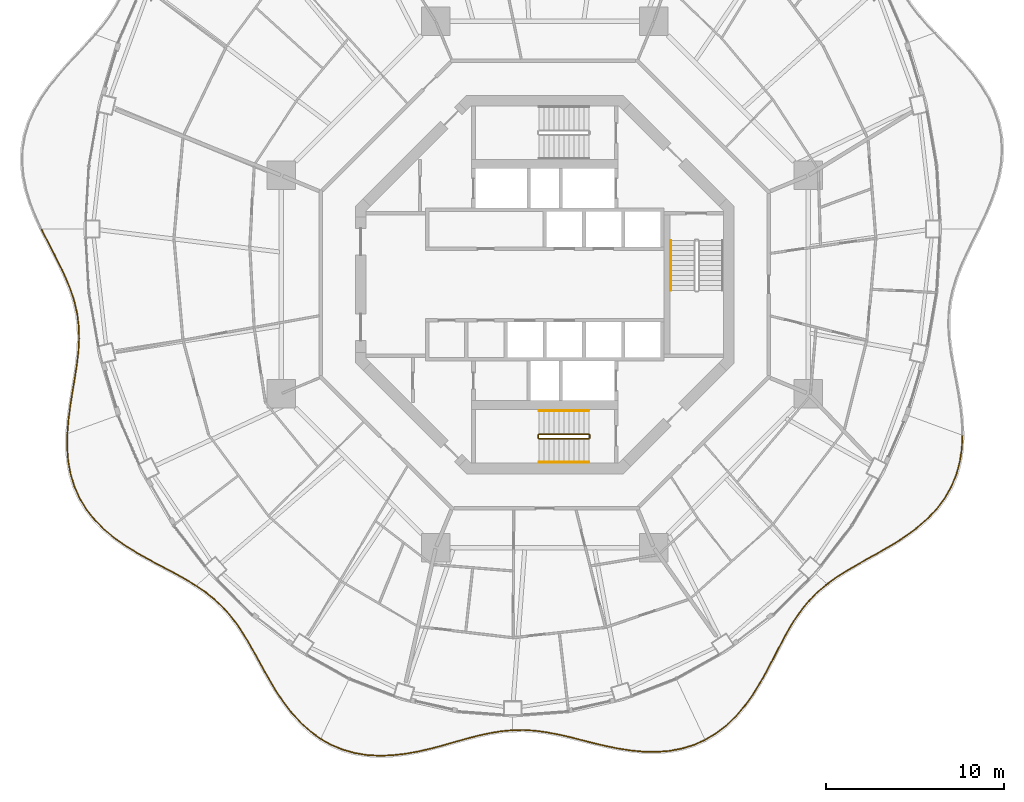
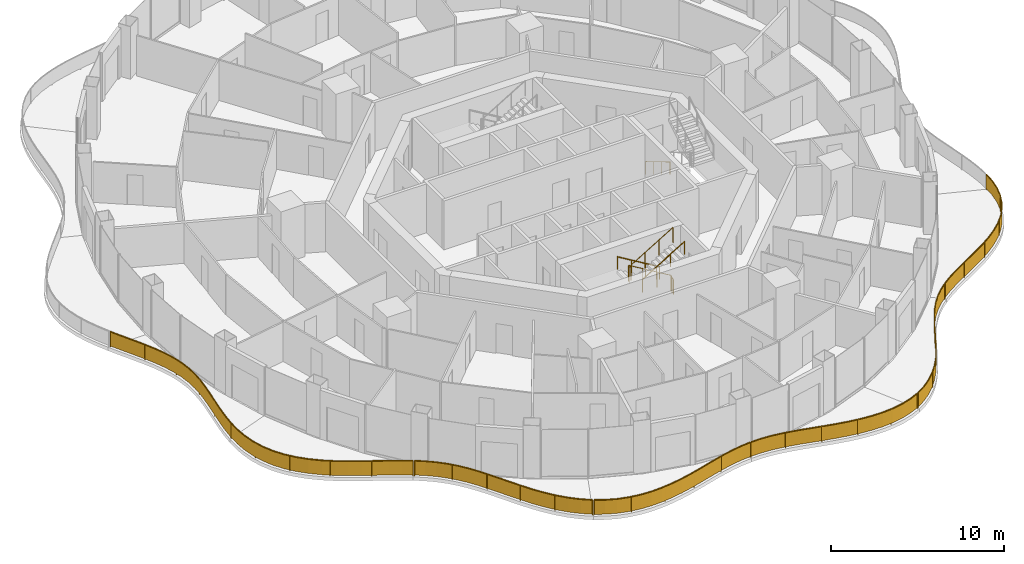
# One storey, part 16 of 18: 11 railings.
"""IFC4 building model written with IfcOpenShell, lengths in metres."""

from ifc_helpers import new_model, si_unit, direction, frame, origin, origin_2d, place, context, subcontext, project, spatial, polyline, rectangle, circle, outline, extrude, material, type_object, element, save


model = new_model("IFC4")

# Units and contexts
model_context = context("Model", 3, precision=1e-05, world=origin(), true_north=direction((0.0, 1.0)))
body_context = subcontext(model_context, "Body", "Model", "MODEL_VIEW")
ifc_project = project(units=[si_unit("LENGTHUNIT", "METRE"), si_unit("AREAUNIT", "SQUARE_METRE"), si_unit("VOLUMEUNIT", "CUBIC_METRE"), si_unit("PLANEANGLEUNIT", "RADIAN"), si_unit("MASSUNIT", "GRAM", prefix="KILO")], contexts=[model_context])

# Site, building, storey
site_placement = place(None, origin())
site = spatial("IfcSite", under=ifc_project, at=site_placement, CompositionType="ELEMENT")
building_placement = place(site_placement, origin())
building = spatial("IfcBuilding", under=site, at=building_placement, Name="Nagisa Residences", CompositionType="ELEMENT")
storey_placement = place(building_placement, frame((0.0, 0.0, 234.39990234375)))
storey = spatial("IfcBuildingStorey", under=building, at=storey_placement, Name="L59", CompositionType="ELEMENT", Elevation=234.39990234375)

# Railings
ifc_material_1 = material(Name="Stainless steel 316", Category="steel")
railing_type_1 = type_object("IfcRailingType", Name="BALCONY GUARD 1100", PredefinedType="BALUSTRADE", material=ifc_material_1)
railing_1_placement = place(storey_placement, frame((-28.239013671875, 3.083740234375, 0.0)))
element("IfcRailing", 1, at=railing_1_placement, inside=storey, type_object=railing_type_1, Name="guard:L59:bal08-0", PredefinedType="BALUSTRADE", context=body_context, shape_type="SweptSolid", body=[
    extrude(outline(polyline([(0.361328125, -0.662353515625), (0.0224609375, 0.01123046875), (-0.0224609375, -0.01123046875), (0.31689453125, -0.685302734375), (0.6787109375, -1.385009765625), (1.02587890625, -2.071044921875), (1.341552734375, -2.74609375), (1.611328125, -3.414794921875), (1.822509765625, -4.06787109375), (1.97216796875, -4.738525390625), (2.05615234375, -5.4189453125), (2.076416015625, -6.11328125), (2.040771484375, -6.825439453125), (1.955322265625, -7.54443359375), (1.841796875, -8.298095703125), (1.712890625, -9.0703125), (1.5869140625, -9.8583984375), (1.482666015625, -10.656494140625), (1.42041015625, -11.411865234375), (1.47021484375, -11.415771484375), (1.532470703125, -10.661865234375), (1.63623046875, -9.86572265625), (1.76220703125, -9.07861328125), (1.89111328125, -8.305908203125), (2.005126953125, -7.55126953125), (2.090576171875, -6.829833984375), (2.126708984375, -6.11376953125), (2.10595703125, -5.4150390625), (2.021484375, -4.730224609375), (1.870849609375, -4.0546875), (1.658203125, -3.397705078125), (1.387451171875, -2.72607421875), (1.07080078125, -2.049072265625), (0.72314453125, -1.362060546875), (0.361328125, -0.662353515625)])), frame((0.0, 0.0, 1.050048828125)), (0.0, 0.0, 1.0), 0.050048828125),
    extrude(outline(polyline([(0.345458984375, -0.670654296875), (0.00634765625, 0.003173828125), (-0.00634765625, -0.003173828125), (0.332763671875, -0.677001953125), (0.694580078125, -1.376708984375), (1.0419921875, -2.063232421875), (1.358154296875, -2.73876953125), (1.628173828125, -3.40869140625), (1.83984375, -4.063232421875), (1.989990234375, -4.735595703125), (2.073974609375, -5.41748046875), (2.094482421875, -6.113525390625), (2.05859375, -6.8271484375), (1.973388671875, -7.546875), (1.859619140625, -8.301025390625), (1.730712890625, -9.0732421875), (1.604736328125, -9.861083984375), (1.50048828125, -10.658447265625), (1.438232421875, -11.413330078125), (1.452392578125, -11.414306640625), (1.5146484375, -10.659912109375), (1.618408203125, -9.863037109375), (1.744384765625, -9.07568359375), (1.873291015625, -8.302978515625), (1.987060546875, -7.548828125), (2.07275390625, -6.828125), (2.108642578125, -6.113525390625), (2.088134765625, -5.41650390625), (2.003662109375, -4.733154296875), (1.853515625, -4.059326171875), (1.641357421875, -3.40380859375), (1.370849609375, -2.7333984375), (1.0546875, -2.056884765625), (0.707275390625, -1.370361328125), (0.345458984375, -0.670654296875)])), frame((0.0, 0.0, 0.06005859375)), (0.0, 0.0, 1.0), 0.989990234375),
    extrude(rectangle(XDim=0.0400390625, YDim=0.0400390625, at=origin_2d()), origin(), (0.0, 0.0, 1.0), 1.050048828125),
    extrude(rectangle(XDim=0.0400390625, YDim=0.0400390625, at=origin_2d()), frame((1.076416015625, -2.119873046875, 0.0)), (0.0, 0.0, 1.0), 1.050048828125),
    extrude(rectangle(XDim=0.0400390625, YDim=0.0400390625, at=origin_2d()), frame((1.908935546875, -4.3408203125, 0.0)), (0.0, 0.0, 1.0), 1.050048828125),
    extrude(rectangle(XDim=0.0400390625, YDim=0.0400390625, at=origin_2d()), frame((2.072021484375, -6.702392578125, 0.0)), (0.0, 0.0, 1.0), 1.050048828125),
    extrude(rectangle(XDim=0.0400390625, YDim=0.0400390625, at=origin_2d()), frame((1.74072265625, -9.055908203125, 0.0)), (0.0, 0.0, 1.0), 1.050048828125),
    extrude(rectangle(XDim=0.0400390625, YDim=0.0400390625, at=origin_2d()), frame((1.4453125, -11.413818359375, 0.0)), (0.0, 0.0, 1.0), 1.050048828125),
])
railing_2_placement = place(storey_placement, frame((-26.79833984375, -8.4072265625, 0.0)))
element("IfcRailing", 2, at=railing_2_placement, inside=storey, type_object=railing_type_1, Name="guard:L59:bal09-0", PredefinedType="BALUSTRADE", context=body_context, shape_type="SweptSolid", body=[
    extrude(outline(polyline([(0.015380859375, -0.723876953125), (0.02490234375, -0.000244140625), (-0.02490234375, 0.000244140625), (-0.034912109375, -0.725341796875), (0.02294921875, -1.48486328125), (0.156982421875, -2.22314453125), (0.373291015625, -2.9326171875), (0.67431640625, -3.60595703125), (1.052734375, -4.224609375), (1.515869140625, -4.81103515625), (2.04931640625, -5.350341796875), (2.641357421875, -5.84326171875), (3.278564453125, -6.2939453125), (3.937744140625, -6.694580078125), (4.620361328125, -7.078857421875), (5.30322265625, -7.44287109375), (5.97216796875, -7.7978515625), (6.61572265625, -8.15478515625), (7.1884765625, -8.50146484375), (7.21435546875, -8.45849609375), (6.640625, -8.111328125), (5.99609375, -7.75390625), (5.32666015625, -7.39892578125), (4.644287109375, -7.034912109375), (3.963134765625, -6.651611328125), (3.305908203125, -6.251953125), (2.671630859375, -5.8037109375), (2.0830078125, -5.313232421875), (1.553466796875, -4.77783203125), (1.09375, -4.19580078125), (0.71875, -3.58251953125), (0.420166015625, -2.9150390625), (0.205810546875, -2.21142578125), (0.07275390625, -1.478515625), (0.015380859375, -0.723876953125)])), frame((0.0, 0.0, 1.050048828125)), (0.0, 0.0, 1.0), 0.050048828125),
    extrude(outline(polyline([(-0.002685546875, -0.724365234375), (0.007080078125, 0.0), (-0.007080078125, 0.0), (-0.016845703125, -0.724853515625), (0.041015625, -1.482666015625), (0.174560546875, -2.218994140625), (0.39013671875, -2.92626953125), (0.6904296875, -3.597412109375), (1.0673828125, -4.214111328125), (1.529296875, -4.799072265625), (2.0615234375, -5.3369140625), (2.65234375, -5.8291015625), (3.288330078125, -6.27880859375), (3.947021484375, -6.67919921875), (4.62890625, -7.06298828125), (5.311767578125, -7.427001953125), (5.980712890625, -7.781982421875), (6.624755859375, -8.13916015625), (7.19775390625, -8.486083984375), (7.205078125, -8.473876953125), (6.631591796875, -8.126953125), (5.987548828125, -7.769775390625), (5.318115234375, -7.414794921875), (4.6357421875, -7.05078125), (3.953857421875, -6.6669921875), (3.296142578125, -6.26708984375), (2.66064453125, -5.81787109375), (2.07080078125, -5.32666015625), (1.5400390625, -4.789794921875), (1.0791015625, -4.206298828125), (0.70263671875, -3.591064453125), (0.4033203125, -2.92138671875), (0.188232421875, -2.215576171875), (0.0546875, -1.480712890625), (-0.002685546875, -0.724365234375)])), frame((0.0, 0.0, 0.06005859375)), (0.0, 0.0, 1.0), 0.989990234375),
    extrude(rectangle(XDim=0.0400390625, YDim=0.0400390625, at=origin_2d()), origin(), (0.0, 0.0, 1.0), 1.050048828125),
    extrude(rectangle(XDim=0.0400390625, YDim=0.0400390625, at=origin_2d()), frame((0.228515625, -2.37158203125, 0.0)), (0.0, 0.0, 1.0), 1.050048828125),
    extrude(rectangle(XDim=0.0400390625, YDim=0.0400390625, at=origin_2d()), frame((1.2958984375, -4.491943359375, 0.0)), (0.0, 0.0, 1.0), 1.050048828125),
    extrude(rectangle(XDim=0.0400390625, YDim=0.0400390625, at=origin_2d()), frame((3.051025390625, -6.1025390625, 0.0)), (0.0, 0.0, 1.0), 1.050048828125),
    extrude(rectangle(XDim=0.0400390625, YDim=0.0400390625, at=origin_2d()), frame((5.113037109375, -7.313232421875, 0.0)), (0.0, 0.0, 1.0), 1.050048828125),
    extrude(rectangle(XDim=0.0400390625, YDim=0.0400390625, at=origin_2d()), frame((7.201416015625, -8.47998046875, 0.0)), (0.0, 0.0, 1.0), 1.050048828125),
])
railing_3_placement = place(storey_placement, frame((-19.535400390625, -16.924560546875, 0.0)))
element("IfcRailing", 3, at=railing_3_placement, inside=storey, type_object=railing_type_1, Name="guard:L59:bal10-0", PredefinedType="BALUSTRADE", context=body_context, shape_type="SweptSolid", body=[
    extrude(outline(polyline([(0.5224609375, -0.329833984375), (0.01416015625, 0.0205078125), (-0.01416015625, -0.0205078125), (0.49267578125, -0.369873046875), (0.99462890625, -0.77294921875), (1.456298828125, -1.2109375), (1.88134765625, -1.68798828125), (2.2744140625, -2.20556640625), (2.630859375, -2.751708984375), (2.984130859375, -3.344482421875), (3.331298828125, -3.966064453125), (3.682861328125, -4.607666015625), (4.049072265625, -5.258056640625), (4.426025390625, -5.896240234375), (4.847900390625, -6.525634765625), (5.30859375, -7.124267578125), (5.812255859375, -7.678466796875), (6.361083984375, -8.175537109375), (6.914794921875, -8.577392578125), (6.944091796875, -8.536865234375), (6.392822265625, -8.136474609375), (5.847900390625, -7.642822265625), (5.34716796875, -7.092041015625), (4.888427734375, -6.496337890625), (4.468505859375, -5.869384765625), (4.092529296875, -5.233154296875), (3.726806640625, -4.583251953125), (3.375244140625, -3.941650390625), (3.027587890625, -3.319580078125), (2.67333984375, -2.725341796875), (2.3154296875, -2.1767578125), (1.919921875, -1.65625), (1.492431640625, -1.17626953125), (1.02734375, -0.7353515625), (0.5224609375, -0.329833984375)])), frame((0.0, 0.0, 1.050048828125)), (0.0, 0.0, 1.0), 0.050048828125),
    extrude(outline(polyline([(0.51171875, -0.34423828125), (0.00390625, 0.005859375), (-0.00390625, -0.005859375), (0.50341796875, -0.35546875), (1.00634765625, -0.759521484375), (1.46923828125, -1.198486328125), (1.895263671875, -1.676513671875), (2.289306640625, -2.1953125), (2.646240234375, -2.7421875), (2.999755859375, -3.33544921875), (3.34716796875, -3.957275390625), (3.69873046875, -4.598876953125), (4.064697265625, -5.2490234375), (4.44140625, -5.886474609375), (4.862548828125, -6.51513671875), (5.322509765625, -7.112548828125), (5.8251953125, -7.66552734375), (6.37255859375, -8.161376953125), (6.92529296875, -8.562744140625), (6.93359375, -8.551513671875), (6.38134765625, -8.150634765625), (5.8349609375, -7.65576171875), (5.333251953125, -7.103759765625), (4.873779296875, -6.5068359375), (4.453125, -5.879150390625), (4.076904296875, -5.2421875), (3.7109375, -4.592041015625), (3.359375, -3.950439453125), (3.011962890625, -3.32861328125), (2.657958984375, -2.73486328125), (2.300537109375, -2.18701171875), (1.906005859375, -1.667724609375), (1.4794921875, -1.188720703125), (1.015625, -0.748779296875), (0.51171875, -0.34423828125)])), frame((0.0, 0.0, 0.06005859375)), (0.0, 0.0, 1.0), 0.989990234375),
    extrude(rectangle(XDim=0.0400390625, YDim=0.0400390625, at=origin_2d()), origin(), (0.0, 0.0, 1.0), 1.050048828125),
    extrude(rectangle(XDim=0.0400390625, YDim=0.0400390625, at=origin_2d()), frame((1.692626953125, -1.438720703125, 0.0)), (0.0, 0.0, 1.0), 1.050048828125),
    extrude(rectangle(XDim=0.0400390625, YDim=0.0400390625, at=origin_2d()), frame((2.96484375, -3.263427734375, 0.0)), (0.0, 0.0, 1.0), 1.050048828125),
    extrude(rectangle(XDim=0.0400390625, YDim=0.0400390625, at=origin_2d()), frame((4.05078125, -5.2099609375, 0.0)), (0.0, 0.0, 1.0), 1.050048828125),
    extrude(rectangle(XDim=0.0400390625, YDim=0.0400390625, at=origin_2d()), frame((5.290283203125, -7.059326171875, 0.0)), (0.0, 0.0, 1.0), 1.050048828125),
    extrude(rectangle(XDim=0.0400390625, YDim=0.0400390625, at=origin_2d()), frame((6.929443359375, -8.55712890625, 0.0)), (0.0, 0.0, 1.0), 1.050048828125),
])
railing_4_placement = place(storey_placement, frame((-12.541015625, -25.523681640625, 0.0)))
element("IfcRailing", 4, at=railing_4_placement, inside=storey, type_object=railing_type_1, Name="guard:L59:bal11-0", PredefinedType="BALUSTRADE", context=body_context, shape_type="SweptSolid", body=[
    extrude(outline(polyline([(0.5791015625, -0.296142578125), (0.01220703125, 0.021728515625), (-0.01220703125, -0.021728515625), (0.55712890625, -0.341064453125), (1.205078125, -0.60791015625), (1.882568359375, -0.79736328125), (2.583740234375, -0.91015625), (3.301513671875, -0.949951171875), (4.011474609375, -0.917724609375), (4.740234375, -0.833251953125), (5.465087890625, -0.702392578125), (6.179931640625, -0.53759765625), (6.88134765625, -0.351806640625), (7.54931640625, -0.156982421875), (8.217041015625, 0.02880859375), (8.868896484375, 0.195556640625), (9.506103515625, 0.332763671875), (10.132080078125, 0.43212890625), (10.708984375, 0.484619140625), (10.70458984375, 0.534423828125), (10.125732421875, 0.48193359375), (9.496826171875, 0.382080078125), (8.857177734375, 0.244384765625), (8.204345703125, 0.0771484375), (7.53564453125, -0.108642578125), (6.8681640625, -0.303466796875), (6.167724609375, -0.48876953125), (5.454833984375, -0.653564453125), (4.73291015625, -0.783935546875), (4.007568359375, -0.867919921875), (3.302001953125, -0.899658203125), (2.589111328125, -0.8603515625), (1.893310546875, -0.74853515625), (1.22119140625, -0.560546875), (0.5791015625, -0.296142578125)])), frame((0.0, 0.0, 1.050048828125)), (0.0, 0.0, 1.0), 0.050048828125),
    extrude(outline(polyline([(0.5712890625, -0.312255859375), (0.00341796875, 0.006103515625), (-0.00341796875, -0.006103515625), (0.56494140625, -0.324951171875), (1.2109375, -0.5908203125), (1.886474609375, -0.77978515625), (2.585693359375, -0.892333984375), (3.3017578125, -0.931884765625), (4.010009765625, -0.89990234375), (4.737548828125, -0.8154296875), (5.46142578125, -0.684814453125), (6.175537109375, -0.52001953125), (6.876708984375, -0.33447265625), (7.54443359375, -0.1396484375), (8.21240234375, 0.046142578125), (8.86474609375, 0.213134765625), (9.502685546875, 0.3505859375), (10.1298828125, 0.4501953125), (10.70751953125, 0.50244140625), (10.7060546875, 0.5166015625), (10.1279296875, 0.4638671875), (9.500244140625, 0.3642578125), (8.861328125, 0.226806640625), (8.208984375, 0.059814453125), (7.54052734375, -0.1259765625), (6.872802734375, -0.32080078125), (6.172119140625, -0.50634765625), (5.45849609375, -0.671142578125), (4.735595703125, -0.8017578125), (4.009033203125, -0.8857421875), (3.3017578125, -0.917724609375), (2.587158203125, -0.878173828125), (1.889404296875, -0.76611328125), (1.21533203125, -0.57763671875), (0.5712890625, -0.312255859375)])), frame((0.0, 0.0, 0.06005859375)), (0.0, 0.0, 1.0), 0.989990234375),
    extrude(rectangle(XDim=0.0400390625, YDim=0.0400390625, at=origin_2d()), origin(), (0.0, 0.0, 1.0), 1.050048828125),
    extrude(rectangle(XDim=0.0400390625, YDim=0.0400390625, at=origin_2d()), frame((2.0439453125, -0.798095703125, 0.0)), (0.0, 0.0, 1.0), 1.050048828125),
    extrude(rectangle(XDim=0.0400390625, YDim=0.0400390625, at=origin_2d()), frame((4.2412109375, -0.865966796875, 0.0)), (0.0, 0.0, 1.0), 1.050048828125),
    extrude(rectangle(XDim=0.0400390625, YDim=0.0400390625, at=origin_2d()), frame((6.406982421875, -0.451416015625, 0.0)), (0.0, 0.0, 1.0), 1.050048828125),
    extrude(rectangle(XDim=0.0400390625, YDim=0.0400390625, at=origin_2d()), frame((8.53466796875, 0.135986328125, 0.0)), (0.0, 0.0, 1.0), 1.050048828125),
    extrude(rectangle(XDim=0.0400390625, YDim=0.0400390625, at=origin_2d()), frame((10.706787109375, 0.509521484375, 0.0)), (0.0, 0.0, 1.0), 1.050048828125),
])
railing_5_placement = place(storey_placement, frame((-1.765625, -25.010009765625, 0.0)))
element("IfcRailing", 5, at=railing_5_placement, inside=storey, type_object=railing_type_1, Name="guard:L59:bal12-0", PredefinedType="BALUSTRADE", context=body_context, shape_type="SweptSolid", body=[
    extrude(outline(polyline([(0.576416015625, 0.033203125), (-0.000244140625, 0.02490234375), (0.000244140625, -0.02490234375), (0.575439453125, -0.01708984375), (1.195556640625, -0.0546875), (1.82421875, -0.135986328125), (2.46484375, -0.2548828125), (3.12060546875, -0.4033203125), (3.77587890625, -0.572509765625), (4.466064453125, -0.74560546875), (5.172119140625, -0.911376953125), (5.89111328125, -1.056884765625), (6.618408203125, -1.16796875), (7.332275390625, -1.23779296875), (8.059326171875, -1.24560546875), (8.775146484375, -1.18701171875), (9.47265625, -1.055908203125), (10.14453125, -0.84912109375), (10.73974609375, -0.58544921875), (10.71923828125, -0.53955078125), (10.126953125, -0.80224609375), (9.46044921875, -1.007080078125), (8.768310546875, -1.13720703125), (8.057373046875, -1.1953125), (7.335205078125, -1.18798828125), (6.624755859375, -1.1181640625), (5.89990234375, -1.007568359375), (5.182861328125, -0.862548828125), (4.477783203125, -0.69677734375), (3.7880859375, -0.524169921875), (3.13232421875, -0.3544921875), (2.47509765625, -0.2060546875), (1.83203125, -0.086669921875), (1.200439453125, -0.0048828125), (0.576416015625, 0.033203125)])), frame((0.0, 0.0, 1.050048828125)), (0.0, 0.0, 1.0), 0.050048828125),
    extrude(outline(polyline([(0.576171875, 0.01513671875), (0.0, 0.007080078125), (0.0, -0.007080078125), (0.57568359375, 0.0009765625), (1.197265625, -0.036865234375), (1.8271484375, -0.1181640625), (2.468505859375, -0.2373046875), (3.124755859375, -0.3857421875), (3.7802734375, -0.55517578125), (4.47021484375, -0.72802734375), (5.176025390625, -0.893798828125), (5.894287109375, -1.0390625), (6.62060546875, -1.14990234375), (7.333251953125, -1.219970703125), (8.05859375, -1.2275390625), (8.772705078125, -1.1689453125), (9.46826171875, -1.038330078125), (10.13818359375, -0.832275390625), (10.732421875, -0.56884765625), (10.7265625, -0.55615234375), (10.13330078125, -0.819091796875), (9.46484375, -1.024658203125), (8.770751953125, -1.1552734375), (8.05810546875, -1.21337890625), (7.334228515625, -1.205810546875), (6.62255859375, -1.13623046875), (5.896728515625, -1.025390625), (5.178955078125, -0.880126953125), (4.4736328125, -0.71435546875), (3.78369140625, -0.54150390625), (3.128173828125, -0.3720703125), (2.471435546875, -0.2236328125), (1.8291015625, -0.1044921875), (1.19873046875, -0.022705078125), (0.576171875, 0.01513671875)])), frame((0.0, 0.0, 0.06005859375)), (0.0, 0.0, 1.0), 0.989990234375),
    extrude(rectangle(XDim=0.0400390625, YDim=0.0400390625, at=origin_2d()), origin(), (0.0, 0.0, 1.0), 1.050048828125),
    extrude(rectangle(XDim=0.0400390625, YDim=0.0400390625, at=origin_2d()), frame((2.17822265625, -0.17626953125, 0.0)), (0.0, 0.0, 1.0), 1.050048828125),
    extrude(rectangle(XDim=0.0400390625, YDim=0.0400390625, at=origin_2d()), frame((4.309326171875, -0.680419921875, 0.0)), (0.0, 0.0, 1.0), 1.050048828125),
    extrude(rectangle(XDim=0.0400390625, YDim=0.0400390625, at=origin_2d()), frame((6.454833984375, -1.11767578125, 0.0)), (0.0, 0.0, 1.0), 1.050048828125),
    extrude(rectangle(XDim=0.0400390625, YDim=0.0400390625, at=origin_2d()), frame((8.63818359375, -1.173095703125, 0.0)), (0.0, 0.0, 1.0), 1.050048828125),
    extrude(rectangle(XDim=0.0400390625, YDim=0.0400390625, at=origin_2d()), frame((10.7294921875, -0.5625, 0.0)), (0.0, 0.0, 1.0), 1.050048828125),
])
railing_6_placement = place(storey_placement, frame((9.03271484375, -25.537109375, 0.0)))
element("IfcRailing", 6, at=railing_6_placement, inside=storey, type_object=railing_type_1, Name="guard:L59:bal13-0", PredefinedType="BALUSTRADE", context=body_context, shape_type="SweptSolid", body=[
    extrude(outline(polyline([(0.56689453125, 0.367919921875), (-0.012939453125, 0.021484375), (0.012939453125, -0.021484375), (0.59521484375, 0.326416015625), (1.175048828125, 0.773193359375), (1.708740234375, 1.2861328125), (2.19580078125, 1.85400390625), (2.637939453125, 2.464599609375), (3.02978515625, 3.0966796875), (3.40234375, 3.753173828125), (3.751220703125, 4.412353515625), (4.086181640625, 5.061767578125), (4.417724609375, 5.690673828125), (4.744384765625, 6.280029296875), (5.099853515625, 6.844482421875), (5.4814453125, 7.369873046875), (5.895751953125, 7.85546875), (6.34814453125, 8.302978515625), (6.8095703125, 8.689208984375), (6.77734375, 8.727783203125), (6.314453125, 8.340087890625), (5.859130859375, 7.8896484375), (5.44189453125, 7.400634765625), (5.058349609375, 6.872314453125), (4.701416015625, 6.305419921875), (4.373779296875, 5.714599609375), (4.041748046875, 5.084716796875), (3.706787109375, 4.435302734375), (3.3583984375, 3.777099609375), (2.98681640625, 3.1220703125), (2.596435546875, 2.492431640625), (2.15625, 1.88525390625), (1.672119140625, 1.3203125), (1.142333984375, 0.811279296875), (0.56689453125, 0.367919921875)])), frame((0.0, 0.0, 1.050048828125)), (0.0, 0.0, 1.0), 0.050048828125),
    extrude(outline(polyline([(0.5771484375, 0.35302734375), (-0.003662109375, 0.006103515625), (0.003662109375, -0.006103515625), (0.5849609375, 0.34130859375), (1.163330078125, 0.786865234375), (1.695556640625, 1.29833984375), (2.181640625, 1.865234375), (2.623046875, 2.474609375), (3.014404296875, 3.105712890625), (3.386474609375, 3.76171875), (3.735107421875, 4.420654296875), (4.070068359375, 5.070068359375), (4.40185546875, 5.69921875), (4.72900390625, 6.2890625), (5.0849609375, 6.8544921875), (5.46728515625, 7.380859375), (5.882568359375, 7.86767578125), (6.3359375, 8.31640625), (6.7978515625, 8.703125), (6.7890625, 8.7138671875), (6.32666015625, 8.32666015625), (5.872314453125, 7.87744140625), (5.4560546875, 7.3896484375), (5.0732421875, 6.8623046875), (4.716796875, 6.29638671875), (4.3896484375, 5.7060546875), (4.057861328125, 5.076416015625), (3.722900390625, 4.427001953125), (3.374267578125, 3.7685546875), (3.002197265625, 3.113037109375), (2.611328125, 2.482421875), (2.17041015625, 1.8740234375), (1.685302734375, 1.30810546875), (1.154052734375, 0.797607421875), (0.5771484375, 0.35302734375)])), frame((0.0, 0.0, 0.06005859375)), (0.0, 0.0, 1.0), 0.989990234375),
    extrude(rectangle(XDim=0.0400390625, YDim=0.0400390625, at=origin_2d()), origin(), (0.0, 0.0, 1.0), 1.050048828125),
    extrude(rectangle(XDim=0.0400390625, YDim=0.0400390625, at=origin_2d()), frame((1.75341796875, 1.376708984375, 0.0)), (0.0, 0.0, 1.0), 1.050048828125),
    extrude(rectangle(XDim=0.0400390625, YDim=0.0400390625, at=origin_2d()), frame((3.055908203125, 3.193603515625, 0.0)), (0.0, 0.0, 1.0), 1.050048828125),
    extrude(rectangle(XDim=0.0400390625, YDim=0.0400390625, at=origin_2d()), frame((4.11376953125, 5.16796875, 0.0)), (0.0, 0.0, 1.0), 1.050048828125),
    extrude(rectangle(XDim=0.0400390625, YDim=0.0400390625, at=origin_2d()), frame((5.2509765625, 7.09521484375, 0.0)), (0.0, 0.0, 1.0), 1.050048828125),
    extrude(rectangle(XDim=0.0400390625, YDim=0.0400390625, at=origin_2d()), frame((6.79345703125, 8.70849609375, 0.0)), (0.0, 0.0, 1.0), 1.050048828125),
])
railing_7_placement = place(storey_placement, frame((15.8828125, -16.786865234375, 0.0)))
element("IfcRailing", 7, at=railing_7_placement, inside=storey, type_object=railing_type_1, Name="guard:L59:bal14-0", PredefinedType="BALUSTRADE", context=body_context, shape_type="SweptSolid", body=[
    extrude(outline(polyline([(0.514404296875, 0.400146484375), (-0.0146484375, 0.020263671875), (0.0146484375, -0.020263671875), (0.542236328125, 0.358642578125), (1.144775390625, 0.74072265625), (1.7822265625, 1.111572265625), (2.4443359375, 1.4814453125), (3.119140625, 1.861328125), (3.783935546875, 2.249267578125), (4.4404296875, 2.67919921875), (5.064453125, 3.145751953125), (5.6416015625, 3.654052734375), (6.157958984375, 4.20751953125), (6.59619140625, 4.79345703125), (6.961181640625, 5.435546875), (7.24169921875, 6.117431640625), (7.4365234375, 6.8330078125), (7.54931640625, 7.574951171875), (7.58203125, 8.28955078125), (7.5322265625, 8.2919921875), (7.49951171875, 7.579833984375), (7.3876953125, 6.84326171875), (7.1943359375, 6.133544921875), (6.916259765625, 5.45751953125), (6.55419921875, 4.82080078125), (6.119384765625, 4.23974609375), (5.6064453125, 3.690185546875), (5.03271484375, 3.184814453125), (4.41162109375, 2.72021484375), (3.757568359375, 2.291748046875), (3.09423828125, 1.90478515625), (2.419921875, 1.52490234375), (1.75732421875, 1.155029296875), (1.118896484375, 0.78369140625), (0.514404296875, 0.400146484375)])), frame((0.0, 0.0, 1.050048828125)), (0.0, 0.0, 1.0), 0.050048828125),
    extrude(outline(polyline([(0.5244140625, 0.38525390625), (-0.004150390625, 0.005615234375), (0.004150390625, -0.005615234375), (0.5322265625, 0.37353515625), (1.135498046875, 0.756103515625), (1.773193359375, 1.127197265625), (2.435546875, 1.4970703125), (3.110107421875, 1.876953125), (3.7744140625, 2.2646484375), (4.429931640625, 2.694091796875), (5.052978515625, 3.159912109375), (5.62890625, 3.6669921875), (6.14404296875, 4.21923828125), (6.5810546875, 4.80322265625), (6.945068359375, 5.443359375), (7.224609375, 6.123291015625), (7.4189453125, 6.836669921875), (7.531494140625, 7.57666015625), (7.564208984375, 8.29052734375), (7.550048828125, 8.291015625), (7.517333984375, 7.578125), (7.4052734375, 6.839599609375), (7.21142578125, 6.127685546875), (6.932373046875, 5.44970703125), (6.5693359375, 4.81103515625), (6.13330078125, 4.22802734375), (5.619140625, 3.67724609375), (5.044189453125, 3.170654296875), (4.422119140625, 2.705322265625), (3.76708984375, 2.2763671875), (3.103271484375, 1.88916015625), (2.4287109375, 1.50927734375), (1.766357421875, 1.139404296875), (1.128173828125, 0.768310546875), (0.5244140625, 0.38525390625)])), frame((0.0, 0.0, 0.06005859375)), (0.0, 0.0, 1.0), 0.989990234375),
    extrude(rectangle(XDim=0.0400390625, YDim=0.0400390625, at=origin_2d()), origin(), (0.0, 0.0, 1.0), 1.050048828125),
    extrude(rectangle(XDim=0.0400390625, YDim=0.0400390625, at=origin_2d()), frame((2.009033203125, 1.266845703125, 0.0)), (0.0, 0.0, 1.0), 1.050048828125),
    extrude(rectangle(XDim=0.0400390625, YDim=0.0400390625, at=origin_2d()), frame((4.06298828125, 2.4619140625, 0.0)), (0.0, 0.0, 1.0), 1.050048828125),
    extrude(rectangle(XDim=0.0400390625, YDim=0.0400390625, at=origin_2d()), frame((5.896240234375, 3.9638671875, 0.0)), (0.0, 0.0, 1.0), 1.050048828125),
    extrude(rectangle(XDim=0.0400390625, YDim=0.0400390625, at=origin_2d()), frame((7.15087890625, 5.962158203125, 0.0)), (0.0, 0.0, 1.0), 1.050048828125),
    extrude(rectangle(XDim=0.0400390625, YDim=0.0400390625, at=origin_2d()), frame((7.55712890625, 8.290771484375, 0.0)), (0.0, 0.0, 1.0), 1.050048828125),
])
ifc_material_2 = material(Name="Stainless steel", Category="steel")
railing_type_2 = type_object("IfcRailingType", Name="Stair guard 1100", PredefinedType="GUARDRAIL", material=ifc_material_2)
railing_8_placement = place(storey_placement, frame((2.52490234375, -8.599609375, 0.0)))
element("IfcRailing", 8, at=railing_8_placement, inside=storey, type_object=railing_type_2, Name="L59 ST-S stair guard 1", PredefinedType="GUARDRAIL", context=body_context, shape_type="SweptSolid", body=[
    extrude(circle(Radius=0.02392578125, at=origin_2d()), frame((0.0, 0.0, 1.076171875), z_axis=(0.0, 1.0, 0.0), x_axis=(-1.0, 0.0, 0.0)), (0.0, 0.0, 1.0), 0.14990234375),
    extrude(circle(Radius=0.02392578125, at=origin_2d()), frame((0.0, 0.14990234375, 1.076171875), z_axis=(-0.273006030465, 0.27434429532, 0.922064485248), x_axis=(-0.708833529934, -0.705375805398, 0.0)), (0.0, 0.0, 1.0), 0.182373046875),
    extrude(circle(Radius=0.02392578125, at=origin_2d()), frame((-0.0498046875, 0.199951171875, 1.244140625), z_axis=(-0.857242210791, 0.0, 0.514913383045), x_axis=(0.0, -1.0, 0.0)), (0.0, 0.0, 1.0), 3.266357421875),
    extrude(circle(Radius=0.02392578125, at=origin_2d()), frame((-2.849853515625, 0.199951171875, 2.92626953125), z_axis=(-0.707106781187, -0.707106781187, 0.0), x_axis=(0.707106781187, -0.707106781187, 0.0)), (0.0, 0.0, 1.0), 0.07080078125),
    extrude(circle(Radius=0.02392578125, at=origin_2d()), frame((-2.89990234375, 0.14990234375, 2.92626953125), z_axis=(0.0, -1.0, 0.0), x_axis=(1.0, 0.0, 0.0)), (0.0, 0.0, 1.0), 0.14990234375),
    extrude(circle(Radius=0.02392578125, at=origin_2d()), frame((-2.89990234375, 0.0, 2.92626953125), z_axis=(0.274243871929, -0.274243871929, 0.92172696468), x_axis=(0.707106781187, 0.707106781187, 0.0)), (0.0, 0.0, 1.0), 0.1826171875),
    extrude(circle(Radius=0.02392578125, at=origin_2d()), frame((-2.849853515625, -0.050048828125, 3.09423828125), z_axis=(0.857242210791, 0.0, 0.514913383045), x_axis=(0.0, 1.0, 0.0)), (0.0, 0.0, 1.0), 3.266357421875),
    extrude(circle(Radius=0.02099609375, at=origin_2d()), origin(), (0.0, 0.0, 1.0), 1.052001953125),
    extrude(circle(Radius=0.02099609375, at=origin_2d()), frame((0.0, 0.14990234375, 0.0)), (0.0, 0.0, 1.0), 1.052001953125),
    extrude(circle(Radius=0.02099609375, at=origin_2d()), frame((-0.0498046875, 0.199951171875, 0.168212890625)), (0.0, 0.0, 1.0), 1.052001953125),
    extrude(circle(Radius=0.02099609375, at=origin_2d()), frame((-0.983154296875, 0.199951171875, 0.728759765625)), (0.0, 0.0, 1.0), 1.052001953125),
    extrude(circle(Radius=0.02099609375, at=origin_2d()), frame((-1.91650390625, 0.199951171875, 1.28955078125)), (0.0, 0.0, 1.0), 1.052001953125),
    extrude(circle(Radius=0.02099609375, at=origin_2d()), frame((-2.849853515625, 0.199951171875, 1.85009765625)), (0.0, 0.0, 1.0), 1.052001953125),
    extrude(circle(Radius=0.02099609375, at=origin_2d()), frame((-2.89990234375, 0.14990234375, 1.85009765625)), (0.0, 0.0, 1.0), 1.052001953125),
    extrude(circle(Radius=0.02099609375, at=origin_2d()), frame((-2.89990234375, 0.0, 1.85009765625)), (0.0, 0.0, 1.0), 1.052001953125),
    extrude(circle(Radius=0.02099609375, at=origin_2d()), frame((-2.849853515625, -0.050048828125, 2.018310546875)), (0.0, 0.0, 1.0), 1.052001953125),
    extrude(circle(Radius=0.02099609375, at=origin_2d()), frame((-1.91650390625, -0.050048828125, 2.578857421875)), (0.0, 0.0, 1.0), 1.052001953125),
    extrude(circle(Radius=0.02099609375, at=origin_2d()), frame((-0.983154296875, -0.050048828125, 3.1396484375)), (0.0, 0.0, 1.0), 1.052001953125),
    extrude(circle(Radius=0.02099609375, at=origin_2d()), frame((-0.0498046875, -0.050048828125, 3.7001953125)), (0.0, 0.0, 1.0), 1.052001953125),
])
ifc_material_3 = material(Name="Stainless steel", Category="steel")
railing_type_3 = type_object("IfcRailingType", Name="Stair handrail 900", PredefinedType="HANDRAIL", material=ifc_material_3)
railing_9_placement = place(storey_placement, frame((7.07470703125, 2.47509765625, 0.168212890625)))
element("IfcRailing", 9, at=railing_9_placement, inside=storey, type_object=railing_type_3, Name="L59 ST-E stair handrail 1", PredefinedType="HANDRAIL", context=body_context, shape_type="SweptSolid", body=[
    extrude(circle(Radius=0.02392578125, at=origin_2d()), frame((0.0, 0.0, 0.8759765625), z_axis=(0.0, -0.857242210791, 0.514913383045), x_axis=(1.0, 0.0, 0.0)), (0.0, 0.0, 1.0), 3.266357421875),
    extrude(circle(Radius=0.02099609375, at=origin_2d()), origin(), (0.0, 0.0, 1.0), 0.851806640625),
    extrude(circle(Radius=0.02099609375, at=origin_2d()), frame((0.0, -0.933349609375, 0.560546875)), (0.0, 0.0, 1.0), 0.851806640625),
    extrude(circle(Radius=0.02099609375, at=origin_2d()), frame((0.0, -1.86669921875, 1.121337890625)), (0.0, 0.0, 1.0), 0.851806640625),
    extrude(circle(Radius=0.02099609375, at=origin_2d()), frame((0.0, -2.800048828125, 1.681884765625)), (0.0, 0.0, 1.0), 0.851806640625),
])
railing_10_placement = place(storey_placement, frame((2.47509765625, -7.07470703125, 0.168212890625)))
element("IfcRailing", 10, at=railing_10_placement, inside=storey, type_object=railing_type_3, Name="L59 ST-S stair handrail 1", PredefinedType="HANDRAIL", context=body_context, shape_type="SweptSolid", body=[
    extrude(circle(Radius=0.02392578125, at=origin_2d()), frame((0.0, 0.0, 0.8759765625), z_axis=(-0.857242210791, 0.0, 0.514913383045), x_axis=(0.0, -1.0, 0.0)), (0.0, 0.0, 1.0), 3.266357421875),
    extrude(circle(Radius=0.02099609375, at=origin_2d()), origin(), (0.0, 0.0, 1.0), 0.851806640625),
    extrude(circle(Radius=0.02099609375, at=origin_2d()), frame((-0.933349609375, 0.0, 0.560546875)), (0.0, 0.0, 1.0), 0.851806640625),
    extrude(circle(Radius=0.02099609375, at=origin_2d()), frame((-1.86669921875, 0.0, 1.121337890625)), (0.0, 0.0, 1.0), 0.851806640625),
    extrude(circle(Radius=0.02099609375, at=origin_2d()), frame((-2.800048828125, 0.0, 1.681884765625)), (0.0, 0.0, 1.0), 0.851806640625),
])
railing_11_placement = place(storey_placement, frame((-0.324951171875, -9.974609375, 2.018310546875)))
element("IfcRailing", 11, at=railing_11_placement, inside=storey, type_object=railing_type_3, Name="L59 ST-S stair handrail 2", PredefinedType="HANDRAIL", context=body_context, shape_type="SweptSolid", body=[
    extrude(circle(Radius=0.02392578125, at=origin_2d()), frame((0.0, 0.0, 0.8759765625), z_axis=(0.857242210791, 0.0, 0.514913383045), x_axis=(0.0, 1.0, 0.0)), (0.0, 0.0, 1.0), 3.266357421875),
    extrude(circle(Radius=0.02099609375, at=origin_2d()), origin(), (0.0, 0.0, 1.0), 0.851806640625),
    extrude(circle(Radius=0.02099609375, at=origin_2d()), frame((0.933349609375, 0.0, 0.560546875)), (0.0, 0.0, 1.0), 0.851806640625),
    extrude(circle(Radius=0.02099609375, at=origin_2d()), frame((1.86669921875, 0.0, 1.121337890625)), (0.0, 0.0, 1.0), 0.851806640625),
    extrude(circle(Radius=0.02099609375, at=origin_2d()), frame((2.800048828125, 0.0, 1.681884765625)), (0.0, 0.0, 1.0), 0.851806640625),
])

save(model, "model.ifc")
